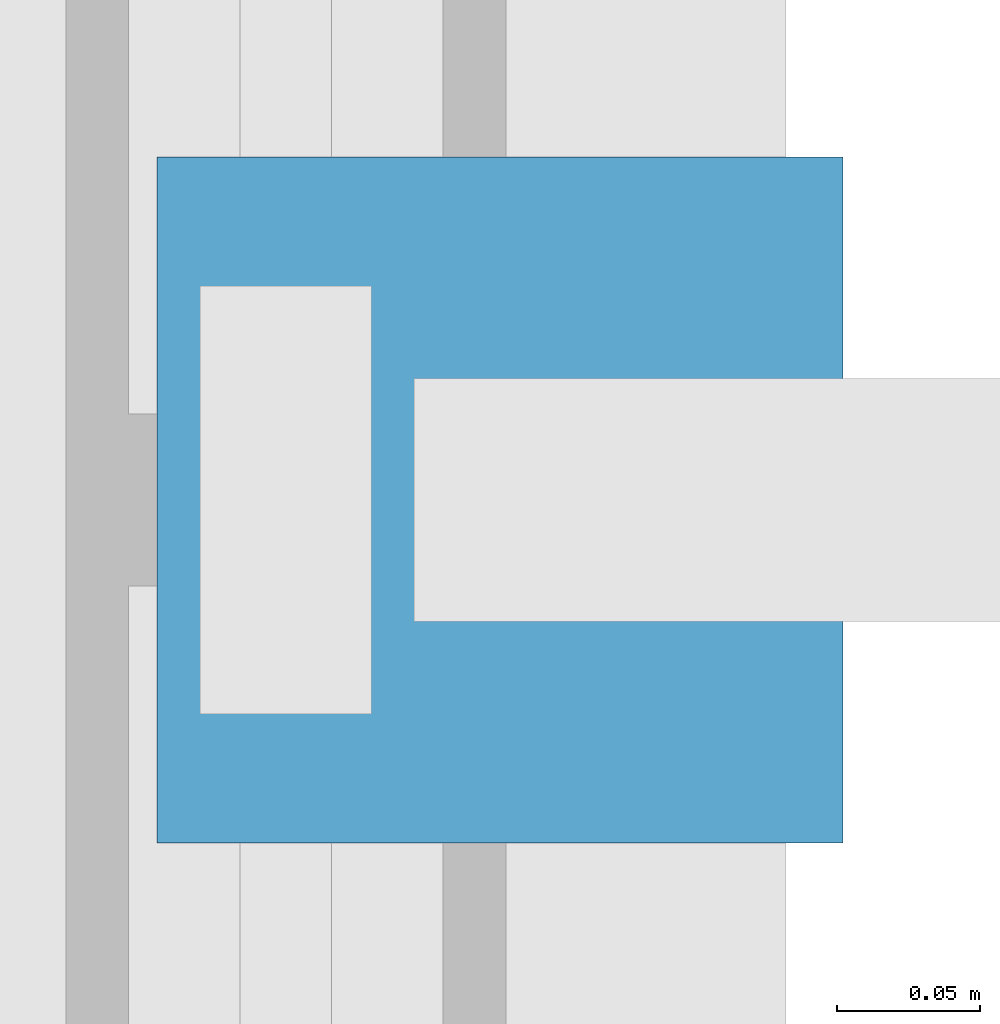
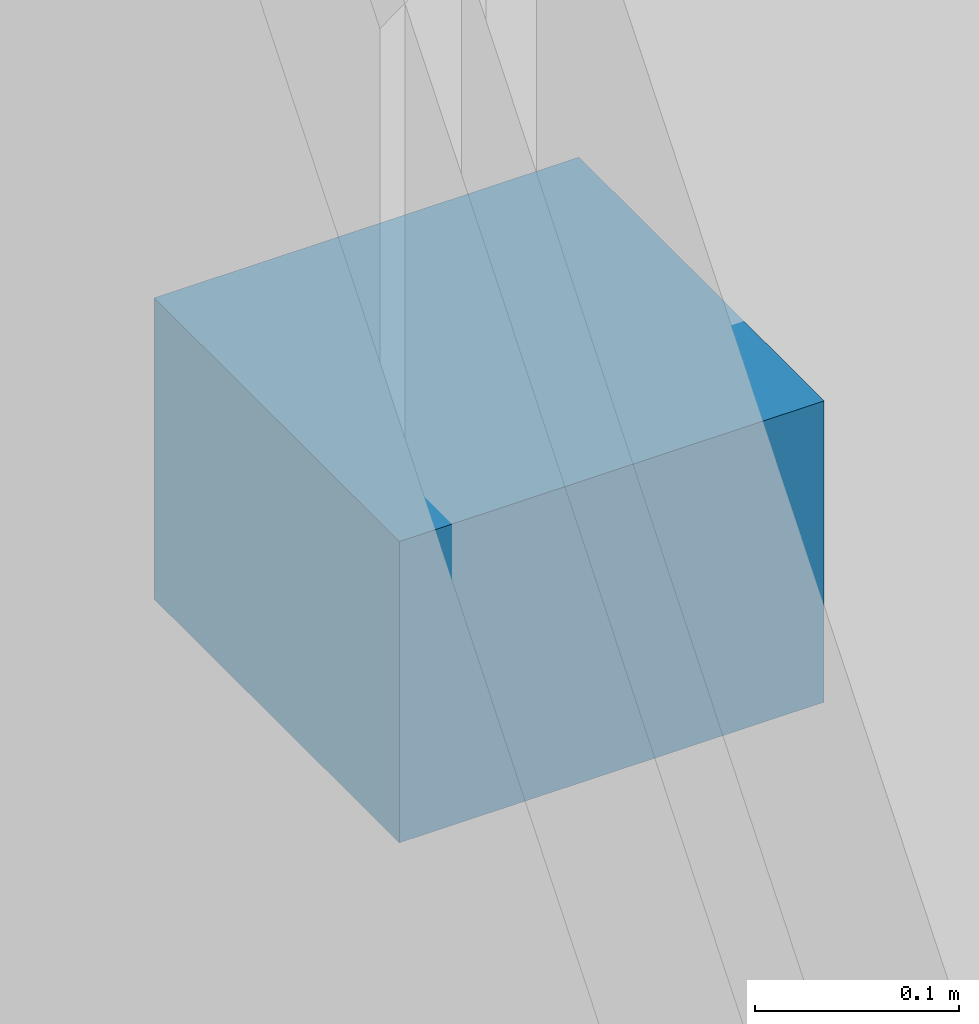
# One storey, part 126 of 142: 1 discrete accessory.
"""IFC4 building model written with IfcOpenShell, lengths in metres."""

from ifc_helpers import new_model, si_unit, direction, frame, origin, origin_2d, place, context, subcontext, project, spatial, rectangle, extrude, material, type_object, element, save


model = new_model("IFC4")

# Units and contexts
model_context = context("Model", 3, precision=1e-05, world=origin(), true_north=direction((0.0, 1.0)))
body_context = subcontext(model_context, "Body", "Model", "MODEL_VIEW")
ifc_project = project(units=[si_unit("LENGTHUNIT", "METRE"), si_unit("AREAUNIT", "SQUARE_METRE"), si_unit("VOLUMEUNIT", "CUBIC_METRE"), si_unit("PLANEANGLEUNIT", "RADIAN"), si_unit("MASSUNIT", "GRAM", prefix="KILO")], contexts=[model_context])

# Site, building, storey
site_placement = place(None, origin())
site = spatial("IfcSite", under=ifc_project, at=site_placement, CompositionType="ELEMENT")
building_placement = place(site_placement, origin())
building = spatial("IfcBuilding", under=site, at=building_placement, Name="Zwinboog Wholesale Market", CompositionType="ELEMENT")
storey_placement = place(building_placement, frame((0.0, 0.0, 5.39990234375)))
storey = spatial("IfcBuildingStorey", under=building, at=storey_placement, Name="L01", CompositionType="ELEMENT", Elevation=5.39990234375)

# Discrete accessory
ifc_material = material(Name="Steel S355", Category="steel")
discrete_accessory_type = type_object("IfcDiscreteAccessoryType", Name="ACC-BRK-S355", PredefinedType="BRACKET", material=ifc_material)
discrete_accessory_placement = place(storey_placement, frame((216.074951171875, 8.0400390625, 1.31005859375), z_axis=(0.0, 0.0, 1.0), x_axis=(1.0, 0.0, 0.0)))
element("IfcDiscreteAccessory", 1, at=discrete_accessory_placement, inside=storey, type_object=discrete_accessory_type, Name="BK-01 (ACC-FBRK-043)", PredefinedType="BRACKET", context=body_context, shape_type="SweptSolid", body=[
    extrude(rectangle(XDim=0.239990234375, YDim=0.239990234375, at=origin_2d()), origin(), (0.0, 0.0, 1.0), 0.179931640625),
])

save(model, "model.ifc")
